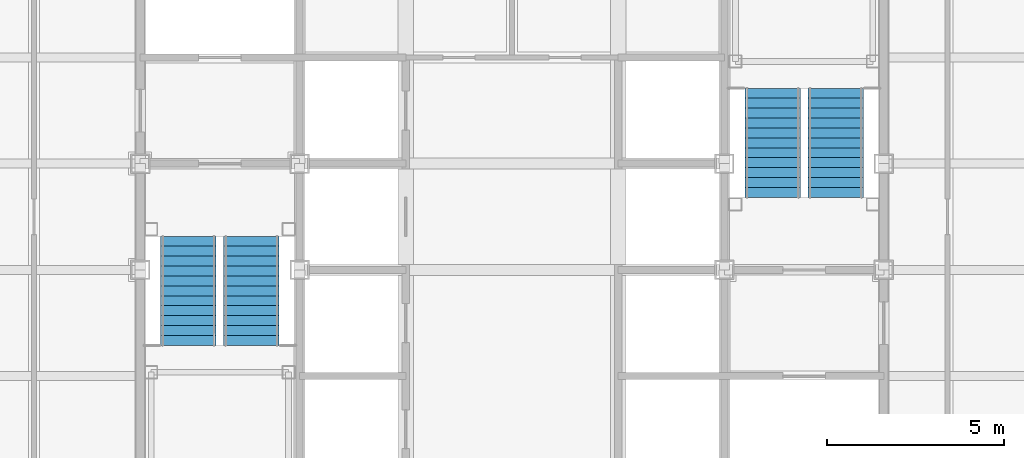
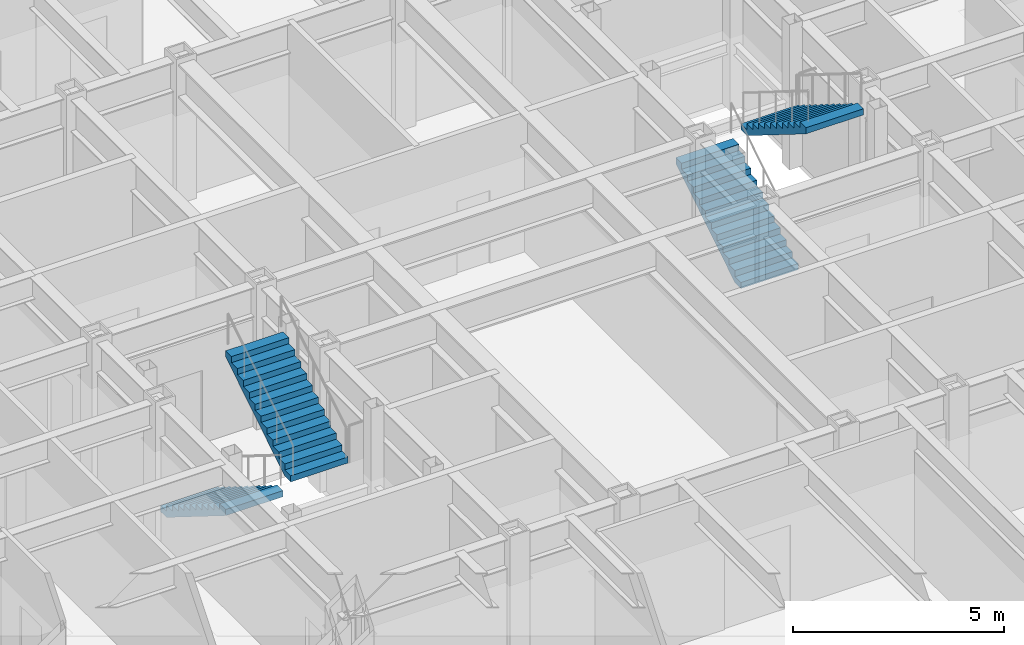
# One storey, part 14 of 16: 4 stair flights, 2 elements without a shape of their own.
"""IFC4 building model written with IfcOpenShell, lengths in metres."""

from ifc_helpers import new_model, si_unit, direction, frame, origin, place, context, subcontext, project, spatial, faceted_brep, material, type_object, element, aggregate, save


model = new_model("IFC4")

# Units and contexts
model_context = context("Model", 3, precision=1e-05, world=origin(), true_north=direction((0.0, 1.0)))
body_context = subcontext(model_context, "Body", "Model", "MODEL_VIEW")
ifc_project = project(units=[si_unit("LENGTHUNIT", "METRE"), si_unit("AREAUNIT", "SQUARE_METRE"), si_unit("VOLUMEUNIT", "CUBIC_METRE"), si_unit("PLANEANGLEUNIT", "RADIAN"), si_unit("MASSUNIT", "GRAM", prefix="KILO")], contexts=[model_context])

# Site, building, storey
site_placement = place(None, origin())
site = spatial("IfcSite", under=ifc_project, at=site_placement, CompositionType="ELEMENT")
building_placement = place(site_placement, origin())
building = spatial("IfcBuilding", under=site, at=building_placement, Name="Chuquiago Exchange Tower", CompositionType="ELEMENT")
storey_placement = place(building_placement, frame((0.0, 0.0, 234.89990234375)))
storey = spatial("IfcBuildingStorey", under=building, at=storey_placement, Name="L52", CompositionType="ELEMENT", Elevation=234.89990234375)

# Stair, stair flights
ifc_material_1 = material(Name="Concrete C30/37, precast", Category="concrete")
stair_type_1 = type_object("IfcStairType", Name="ST1 half-turn stair 4200", PredefinedType="HALF_TURN_STAIR", material=ifc_material_1)
stair_1_placement = place(storey_placement, origin())
stair_1 = element("IfcStair", 1, at=stair_1_placement, inside=storey, type_object=stair_type_1, Name="Stair ST1 L52", PredefinedType="HALF_TURN_STAIR")
ifc_material_2 = material(Name="Concrete C30/37, precast", Category="concrete")
stair_flight_type = type_object("IfcStairFlightType", Name="ST-F flight 1570 for 4200 storey", PredefinedType="STRAIGHT", material=ifc_material_2)
stair_flight_1_placement = place(storey_placement, frame((13.360107421875, 21.949951171875, 0.0), z_axis=(0.0, 0.0, 1.0), x_axis=(0.0, -1.0, 0.0)))
stair_flight_1 = element("IfcStairFlight", 2, at=stair_flight_1_placement, type_object=stair_flight_type, Name="ST1 flight 1", NumberOfRisers=12, NumberOfTreads=11, PredefinedType="STRAIGHT", RiserHeight=0.175, TreadLength=0.28, context=body_context, shape_type="Brep", body=[
    faceted_brep([(0.0, 0.78515625, 0.0), (0.0, 0.78515625, 0.175048828125), (0.280029296875, 0.78515625, 0.175048828125), (0.280029296875, 0.78515625, 0.35009765625), (0.56005859375, 0.78515625, 0.35009765625), (0.56005859375, 0.78515625, 0.52490234375), (0.840087890625, 0.78515625, 0.52490234375), (0.840087890625, 0.78515625, 0.699951171875), (1.1201171875, 0.78515625, 0.699951171875), (1.1201171875, 0.78515625, 0.875), (1.39990234375, 0.78515625, 0.875), (1.39990234375, 0.78515625, 1.050048828125), (1.679931640625, 0.78515625, 1.050048828125), (1.679931640625, 0.78515625, 1.22509765625), (1.9599609375, 0.78515625, 1.22509765625), (1.9599609375, 0.78515625, 1.39990234375), (2.239990234375, 0.78515625, 1.39990234375), (2.239990234375, 0.78515625, 1.574951171875), (2.52001953125, 0.78515625, 1.574951171875), (2.52001953125, 0.78515625, 1.75), (2.800048828125, 0.78515625, 1.75), (2.800048828125, 0.78515625, 1.925048828125), (3.080078125, 0.78515625, 1.925048828125), (3.080078125, 0.78515625, 1.748291015625), (0.28271484375, 0.78515625, 0.0), (0.28271484375, -0.78515625, 0.0), (3.080078125, -0.78515625, 1.748291015625), (3.080078125, -0.78515625, 1.925048828125), (2.800048828125, -0.78515625, 1.925048828125), (2.800048828125, -0.78515625, 1.75), (2.52001953125, -0.78515625, 1.75), (2.52001953125, -0.78515625, 1.574951171875), (2.239990234375, -0.78515625, 1.574951171875), (2.239990234375, -0.78515625, 1.39990234375), (1.9599609375, -0.78515625, 1.39990234375), (1.9599609375, -0.78515625, 1.22509765625), (1.679931640625, -0.78515625, 1.22509765625), (1.679931640625, -0.78515625, 1.050048828125), (1.39990234375, -0.78515625, 1.050048828125), (1.39990234375, -0.78515625, 0.875), (1.1201171875, -0.78515625, 0.875), (1.1201171875, -0.78515625, 0.699951171875), (0.840087890625, -0.78515625, 0.699951171875), (0.840087890625, -0.78515625, 0.52490234375), (0.56005859375, -0.78515625, 0.52490234375), (0.56005859375, -0.78515625, 0.35009765625), (0.280029296875, -0.78515625, 0.35009765625), (0.280029296875, -0.78515625, 0.175048828125), (0.0, -0.78515625, 0.175048828125), (0.0, -0.78515625, 0.0), (0.0, 0.392578125, 0.0), (0.0, 0.392578125, 0.175048828125), (0.0, 0.0, 0.0), (0.0, 0.0, 0.175048828125), (0.0, -0.392578125, 0.0), (0.0, -0.392578125, 0.175048828125), (0.280029296875, 0.392578125, 0.175048828125), (0.280029296875, 0.0, 0.175048828125), (0.280029296875, -0.392578125, 0.175048828125), (0.280029296875, 0.392578125, 0.35009765625), (0.280029296875, 0.0, 0.35009765625), (0.280029296875, -0.392578125, 0.35009765625), (0.56005859375, 0.392578125, 0.35009765625), (0.56005859375, 0.0, 0.35009765625), (0.56005859375, -0.392578125, 0.35009765625), (0.56005859375, 0.392578125, 0.52490234375), (0.56005859375, 0.0, 0.52490234375), (0.56005859375, -0.392578125, 0.52490234375), (0.840087890625, 0.392578125, 0.52490234375), (0.840087890625, 0.0, 0.52490234375), (0.840087890625, -0.392578125, 0.52490234375), (0.840087890625, 0.392578125, 0.699951171875), (0.840087890625, 0.0, 0.699951171875), (0.840087890625, -0.392578125, 0.699951171875), (1.1201171875, 0.392578125, 0.699951171875), (1.1201171875, 0.0, 0.699951171875), (1.1201171875, -0.392578125, 0.699951171875), (1.1201171875, 0.392578125, 0.875), (1.1201171875, 0.0, 0.875), (1.1201171875, -0.392578125, 0.875), (1.39990234375, 0.392578125, 0.875), (1.39990234375, 0.0, 0.875), (1.39990234375, -0.392578125, 0.875), (1.39990234375, 0.392578125, 1.050048828125), (1.39990234375, 0.0, 1.050048828125), (1.39990234375, -0.392578125, 1.050048828125), (1.679931640625, 0.392578125, 1.050048828125), (1.679931640625, 0.0, 1.050048828125), (1.679931640625, -0.392578125, 1.050048828125), (1.679931640625, 0.392578125, 1.22509765625), (1.679931640625, 0.0, 1.22509765625), (1.679931640625, -0.392578125, 1.22509765625), (1.9599609375, 0.392578125, 1.22509765625), (1.9599609375, 0.0, 1.22509765625), (1.9599609375, -0.392578125, 1.22509765625), (1.9599609375, 0.392578125, 1.39990234375), (1.9599609375, 0.0, 1.39990234375), (1.9599609375, -0.392578125, 1.39990234375), (2.239990234375, 0.392578125, 1.39990234375), (2.239990234375, 0.0, 1.39990234375), (2.239990234375, -0.392578125, 1.39990234375), (2.239990234375, 0.392578125, 1.574951171875), (2.239990234375, 0.0, 1.574951171875), (2.239990234375, -0.392578125, 1.574951171875), (2.52001953125, 0.392578125, 1.574951171875), (2.52001953125, 0.0, 1.574951171875), (2.52001953125, -0.392578125, 1.574951171875), (2.52001953125, 0.392578125, 1.75), (2.52001953125, 0.0, 1.75), (2.52001953125, -0.392578125, 1.75), (2.800048828125, 0.392578125, 1.75), (2.800048828125, 0.0, 1.75), (2.800048828125, -0.392578125, 1.75), (2.800048828125, 0.392578125, 1.925048828125), (2.800048828125, 0.0, 1.925048828125), (2.800048828125, -0.392578125, 1.925048828125), (3.080078125, 0.392578125, 1.925048828125), (3.080078125, 0.0, 1.925048828125), (3.080078125, -0.392578125, 1.925048828125), (3.080078125, 0.392578125, 1.748291015625), (3.080078125, 0.0, 1.748291015625), (3.080078125, -0.392578125, 1.748291015625), (0.28271484375, 0.392578125, 0.0), (0.28271484375, 0.0, 0.0), (0.28271484375, -0.392578125, 0.0)], [[[0, 1, 2, 3, 4, 5, 6, 7, 8, 9, 10, 11, 12, 13, 14, 15, 16, 17, 18, 19, 20, 21, 22, 23, 24]], [[25, 26, 27, 28, 29, 30, 31, 32, 33, 34, 35, 36, 37, 38, 39, 40, 41, 42, 43, 44, 45, 46, 47, 48, 49]], [[1, 0, 50, 51]], [[51, 50, 52, 53]], [[53, 52, 54, 55]], [[55, 54, 49, 48]], [[2, 1, 51, 56]], [[56, 51, 53, 57]], [[57, 53, 55, 58]], [[58, 55, 48, 47]], [[3, 2, 56, 59]], [[59, 56, 57, 60]], [[60, 57, 58, 61]], [[61, 58, 47, 46]], [[4, 3, 59, 62]], [[62, 59, 60, 63]], [[63, 60, 61, 64]], [[64, 61, 46, 45]], [[5, 4, 62, 65]], [[65, 62, 63, 66]], [[66, 63, 64, 67]], [[67, 64, 45, 44]], [[6, 5, 65, 68]], [[68, 65, 66, 69]], [[69, 66, 67, 70]], [[70, 67, 44, 43]], [[7, 6, 68, 71]], [[71, 68, 69, 72]], [[72, 69, 70, 73]], [[73, 70, 43, 42]], [[8, 7, 71, 74]], [[74, 71, 72, 75]], [[75, 72, 73, 76]], [[76, 73, 42, 41]], [[9, 8, 74, 77]], [[77, 74, 75, 78]], [[78, 75, 76, 79]], [[79, 76, 41, 40]], [[10, 9, 77, 80]], [[80, 77, 78, 81]], [[81, 78, 79, 82]], [[82, 79, 40, 39]], [[11, 10, 80, 83]], [[83, 80, 81, 84]], [[84, 81, 82, 85]], [[85, 82, 39, 38]], [[12, 11, 83, 86]], [[86, 83, 84, 87]], [[87, 84, 85, 88]], [[88, 85, 38, 37]], [[13, 12, 86, 89]], [[89, 86, 87, 90]], [[90, 87, 88, 91]], [[91, 88, 37, 36]], [[14, 13, 89, 92]], [[92, 89, 90, 93]], [[93, 90, 91, 94]], [[94, 91, 36, 35]], [[15, 14, 92, 95]], [[95, 92, 93, 96]], [[96, 93, 94, 97]], [[97, 94, 35, 34]], [[16, 15, 95, 98]], [[98, 95, 96, 99]], [[99, 96, 97, 100]], [[100, 97, 34, 33]], [[17, 16, 98, 101]], [[101, 98, 99, 102]], [[102, 99, 100, 103]], [[103, 100, 33, 32]], [[18, 17, 101, 104]], [[104, 101, 102, 105]], [[105, 102, 103, 106]], [[106, 103, 32, 31]], [[19, 18, 104, 107]], [[107, 104, 105, 108]], [[108, 105, 106, 109]], [[109, 106, 31, 30]], [[20, 19, 107, 110]], [[110, 107, 108, 111]], [[111, 108, 109, 112]], [[112, 109, 30, 29]], [[21, 20, 110, 113]], [[113, 110, 111, 114]], [[114, 111, 112, 115]], [[115, 112, 29, 28]], [[22, 21, 113, 116]], [[116, 113, 114, 117]], [[117, 114, 115, 118]], [[118, 115, 28, 27]], [[23, 22, 116, 119]], [[119, 116, 117, 120]], [[120, 117, 118, 121]], [[121, 118, 27, 26]], [[24, 23, 119, 122]], [[122, 119, 120, 123]], [[123, 120, 121, 124]], [[124, 121, 26, 25]], [[0, 24, 122, 50]], [[50, 122, 123, 52]], [[52, 123, 124, 54]], [[54, 124, 25, 49]]]),
])
stair_flight_2_placement = place(storey_placement, frame((15.139892578125, 18.8701171875, 2.10009765625), z_axis=(0.0, 0.0, 1.0), x_axis=(0.0, 1.0, 0.0)))
stair_flight_2 = element("IfcStairFlight", 3, at=stair_flight_2_placement, type_object=stair_flight_type, Name="ST1 flight 2", NumberOfRisers=12, NumberOfTreads=11, PredefinedType="STRAIGHT", RiserHeight=0.175, TreadLength=0.28, context=body_context, shape_type="Brep", body=[
    faceted_brep([(0.0, 0.78515625, 0.0), (0.0, 0.78515625, 0.175048828125), (0.280029296875, 0.78515625, 0.175048828125), (0.280029296875, 0.78515625, 0.35009765625), (0.56005859375, 0.78515625, 0.35009765625), (0.56005859375, 0.78515625, 0.52490234375), (0.840087890625, 0.78515625, 0.52490234375), (0.840087890625, 0.78515625, 0.699951171875), (1.1201171875, 0.78515625, 0.699951171875), (1.1201171875, 0.78515625, 0.875), (1.39990234375, 0.78515625, 0.875), (1.39990234375, 0.78515625, 1.050048828125), (1.679931640625, 0.78515625, 1.050048828125), (1.679931640625, 0.78515625, 1.22509765625), (1.9599609375, 0.78515625, 1.22509765625), (1.9599609375, 0.78515625, 1.39990234375), (2.239990234375, 0.78515625, 1.39990234375), (2.239990234375, 0.78515625, 1.574951171875), (2.52001953125, 0.78515625, 1.574951171875), (2.52001953125, 0.78515625, 1.75), (2.800048828125, 0.78515625, 1.75), (2.800048828125, 0.78515625, 1.925048828125), (3.080078125, 0.78515625, 1.925048828125), (3.080078125, 0.78515625, 1.748291015625), (0.28271484375, 0.78515625, 0.0), (0.28271484375, -0.78515625, 0.0), (3.080078125, -0.78515625, 1.748291015625), (3.080078125, -0.78515625, 1.925048828125), (2.800048828125, -0.78515625, 1.925048828125), (2.800048828125, -0.78515625, 1.75), (2.52001953125, -0.78515625, 1.75), (2.52001953125, -0.78515625, 1.574951171875), (2.239990234375, -0.78515625, 1.574951171875), (2.239990234375, -0.78515625, 1.39990234375), (1.9599609375, -0.78515625, 1.39990234375), (1.9599609375, -0.78515625, 1.22509765625), (1.679931640625, -0.78515625, 1.22509765625), (1.679931640625, -0.78515625, 1.050048828125), (1.39990234375, -0.78515625, 1.050048828125), (1.39990234375, -0.78515625, 0.875), (1.1201171875, -0.78515625, 0.875), (1.1201171875, -0.78515625, 0.699951171875), (0.840087890625, -0.78515625, 0.699951171875), (0.840087890625, -0.78515625, 0.52490234375), (0.56005859375, -0.78515625, 0.52490234375), (0.56005859375, -0.78515625, 0.35009765625), (0.280029296875, -0.78515625, 0.35009765625), (0.280029296875, -0.78515625, 0.175048828125), (0.0, -0.78515625, 0.175048828125), (0.0, -0.78515625, 0.0), (0.0, 0.392578125, 0.0), (0.0, 0.392578125, 0.175048828125), (0.0, 0.0, 0.0), (0.0, 0.0, 0.175048828125), (0.0, -0.392578125, 0.0), (0.0, -0.392578125, 0.175048828125), (0.280029296875, 0.392578125, 0.175048828125), (0.280029296875, 0.0, 0.175048828125), (0.280029296875, -0.392578125, 0.175048828125), (0.280029296875, 0.392578125, 0.35009765625), (0.280029296875, 0.0, 0.35009765625), (0.280029296875, -0.392578125, 0.35009765625), (0.56005859375, 0.392578125, 0.35009765625), (0.56005859375, 0.0, 0.35009765625), (0.56005859375, -0.392578125, 0.35009765625), (0.56005859375, 0.392578125, 0.52490234375), (0.56005859375, 0.0, 0.52490234375), (0.56005859375, -0.392578125, 0.52490234375), (0.840087890625, 0.392578125, 0.52490234375), (0.840087890625, 0.0, 0.52490234375), (0.840087890625, -0.392578125, 0.52490234375), (0.840087890625, 0.392578125, 0.699951171875), (0.840087890625, 0.0, 0.699951171875), (0.840087890625, -0.392578125, 0.699951171875), (1.1201171875, 0.392578125, 0.699951171875), (1.1201171875, 0.0, 0.699951171875), (1.1201171875, -0.392578125, 0.699951171875), (1.1201171875, 0.392578125, 0.875), (1.1201171875, 0.0, 0.875), (1.1201171875, -0.392578125, 0.875), (1.39990234375, 0.392578125, 0.875), (1.39990234375, 0.0, 0.875), (1.39990234375, -0.392578125, 0.875), (1.39990234375, 0.392578125, 1.050048828125), (1.39990234375, 0.0, 1.050048828125), (1.39990234375, -0.392578125, 1.050048828125), (1.679931640625, 0.392578125, 1.050048828125), (1.679931640625, 0.0, 1.050048828125), (1.679931640625, -0.392578125, 1.050048828125), (1.679931640625, 0.392578125, 1.22509765625), (1.679931640625, 0.0, 1.22509765625), (1.679931640625, -0.392578125, 1.22509765625), (1.9599609375, 0.392578125, 1.22509765625), (1.9599609375, 0.0, 1.22509765625), (1.9599609375, -0.392578125, 1.22509765625), (1.9599609375, 0.392578125, 1.39990234375), (1.9599609375, 0.0, 1.39990234375), (1.9599609375, -0.392578125, 1.39990234375), (2.239990234375, 0.392578125, 1.39990234375), (2.239990234375, 0.0, 1.39990234375), (2.239990234375, -0.392578125, 1.39990234375), (2.239990234375, 0.392578125, 1.574951171875), (2.239990234375, 0.0, 1.574951171875), (2.239990234375, -0.392578125, 1.574951171875), (2.52001953125, 0.392578125, 1.574951171875), (2.52001953125, 0.0, 1.574951171875), (2.52001953125, -0.392578125, 1.574951171875), (2.52001953125, 0.392578125, 1.75), (2.52001953125, 0.0, 1.75), (2.52001953125, -0.392578125, 1.75), (2.800048828125, 0.392578125, 1.75), (2.800048828125, 0.0, 1.75), (2.800048828125, -0.392578125, 1.75), (2.800048828125, 0.392578125, 1.925048828125), (2.800048828125, 0.0, 1.925048828125), (2.800048828125, -0.392578125, 1.925048828125), (3.080078125, 0.392578125, 1.925048828125), (3.080078125, 0.0, 1.925048828125), (3.080078125, -0.392578125, 1.925048828125), (3.080078125, 0.392578125, 1.748291015625), (3.080078125, 0.0, 1.748291015625), (3.080078125, -0.392578125, 1.748291015625), (0.28271484375, 0.392578125, 0.0), (0.28271484375, 0.0, 0.0), (0.28271484375, -0.392578125, 0.0)], [[[0, 1, 2, 3, 4, 5, 6, 7, 8, 9, 10, 11, 12, 13, 14, 15, 16, 17, 18, 19, 20, 21, 22, 23, 24]], [[25, 26, 27, 28, 29, 30, 31, 32, 33, 34, 35, 36, 37, 38, 39, 40, 41, 42, 43, 44, 45, 46, 47, 48, 49]], [[1, 0, 50, 51]], [[51, 50, 52, 53]], [[53, 52, 54, 55]], [[55, 54, 49, 48]], [[2, 1, 51, 56]], [[56, 51, 53, 57]], [[57, 53, 55, 58]], [[58, 55, 48, 47]], [[3, 2, 56, 59]], [[59, 56, 57, 60]], [[60, 57, 58, 61]], [[61, 58, 47, 46]], [[4, 3, 59, 62]], [[62, 59, 60, 63]], [[63, 60, 61, 64]], [[64, 61, 46, 45]], [[5, 4, 62, 65]], [[65, 62, 63, 66]], [[66, 63, 64, 67]], [[67, 64, 45, 44]], [[6, 5, 65, 68]], [[68, 65, 66, 69]], [[69, 66, 67, 70]], [[70, 67, 44, 43]], [[7, 6, 68, 71]], [[71, 68, 69, 72]], [[72, 69, 70, 73]], [[73, 70, 43, 42]], [[8, 7, 71, 74]], [[74, 71, 72, 75]], [[75, 72, 73, 76]], [[76, 73, 42, 41]], [[9, 8, 74, 77]], [[77, 74, 75, 78]], [[78, 75, 76, 79]], [[79, 76, 41, 40]], [[10, 9, 77, 80]], [[80, 77, 78, 81]], [[81, 78, 79, 82]], [[82, 79, 40, 39]], [[11, 10, 80, 83]], [[83, 80, 81, 84]], [[84, 81, 82, 85]], [[85, 82, 39, 38]], [[12, 11, 83, 86]], [[86, 83, 84, 87]], [[87, 84, 85, 88]], [[88, 85, 38, 37]], [[13, 12, 86, 89]], [[89, 86, 87, 90]], [[90, 87, 88, 91]], [[91, 88, 37, 36]], [[14, 13, 89, 92]], [[92, 89, 90, 93]], [[93, 90, 91, 94]], [[94, 91, 36, 35]], [[15, 14, 92, 95]], [[95, 92, 93, 96]], [[96, 93, 94, 97]], [[97, 94, 35, 34]], [[16, 15, 95, 98]], [[98, 95, 96, 99]], [[99, 96, 97, 100]], [[100, 97, 34, 33]], [[17, 16, 98, 101]], [[101, 98, 99, 102]], [[102, 99, 100, 103]], [[103, 100, 33, 32]], [[18, 17, 101, 104]], [[104, 101, 102, 105]], [[105, 102, 103, 106]], [[106, 103, 32, 31]], [[19, 18, 104, 107]], [[107, 104, 105, 108]], [[108, 105, 106, 109]], [[109, 106, 31, 30]], [[20, 19, 107, 110]], [[110, 107, 108, 111]], [[111, 108, 109, 112]], [[112, 109, 30, 29]], [[21, 20, 110, 113]], [[113, 110, 111, 114]], [[114, 111, 112, 115]], [[115, 112, 29, 28]], [[22, 21, 113, 116]], [[116, 113, 114, 117]], [[117, 114, 115, 118]], [[118, 115, 28, 27]], [[23, 22, 116, 119]], [[119, 116, 117, 120]], [[120, 117, 118, 121]], [[121, 118, 27, 26]], [[24, 23, 119, 122]], [[122, 119, 120, 123]], [[123, 120, 121, 124]], [[124, 121, 26, 25]], [[0, 24, 122, 50]], [[50, 122, 123, 52]], [[52, 123, 124, 54]], [[54, 124, 25, 49]]]),
])
aggregate(stair_1, [stair_flight_1, stair_flight_2])

ifc_material_3 = material(Name="Concrete C30/37, precast", Category="concrete")
stair_type_2 = type_object("IfcStairType", Name="ST2 half-turn stair 4200", PredefinedType="HALF_TURN_STAIR", material=ifc_material_3)
stair_2_placement = place(storey_placement, origin())
stair_2 = element("IfcStair", 4, at=stair_2_placement, inside=storey, type_object=stair_type_2, Name="Stair ST2 L52", PredefinedType="HALF_TURN_STAIR")
stair_flight_3_placement = place(storey_placement, frame((29.860107421875, 23.050048828125, 0.0), z_axis=(0.0, 0.0, 1.0), x_axis=(0.0, 1.0, 0.0)))
stair_flight_3 = element("IfcStairFlight", 5, at=stair_flight_3_placement, type_object=stair_flight_type, Name="ST2 flight 1", NumberOfRisers=12, NumberOfTreads=11, PredefinedType="STRAIGHT", RiserHeight=0.175, TreadLength=0.28, context=body_context, shape_type="Brep", body=[
    faceted_brep([(0.0, 0.78515625, 0.0), (0.0, 0.78515625, 0.175048828125), (0.280029296875, 0.78515625, 0.175048828125), (0.280029296875, 0.78515625, 0.35009765625), (0.56005859375, 0.78515625, 0.35009765625), (0.56005859375, 0.78515625, 0.52490234375), (0.840087890625, 0.78515625, 0.52490234375), (0.840087890625, 0.78515625, 0.699951171875), (1.1201171875, 0.78515625, 0.699951171875), (1.1201171875, 0.78515625, 0.875), (1.39990234375, 0.78515625, 0.875), (1.39990234375, 0.78515625, 1.050048828125), (1.679931640625, 0.78515625, 1.050048828125), (1.679931640625, 0.78515625, 1.22509765625), (1.9599609375, 0.78515625, 1.22509765625), (1.9599609375, 0.78515625, 1.39990234375), (2.239990234375, 0.78515625, 1.39990234375), (2.239990234375, 0.78515625, 1.574951171875), (2.52001953125, 0.78515625, 1.574951171875), (2.52001953125, 0.78515625, 1.75), (2.800048828125, 0.78515625, 1.75), (2.800048828125, 0.78515625, 1.925048828125), (3.080078125, 0.78515625, 1.925048828125), (3.080078125, 0.78515625, 1.748291015625), (0.28271484375, 0.78515625, 0.0), (0.28271484375, -0.78515625, 0.0), (3.080078125, -0.78515625, 1.748291015625), (3.080078125, -0.78515625, 1.925048828125), (2.800048828125, -0.78515625, 1.925048828125), (2.800048828125, -0.78515625, 1.75), (2.52001953125, -0.78515625, 1.75), (2.52001953125, -0.78515625, 1.574951171875), (2.239990234375, -0.78515625, 1.574951171875), (2.239990234375, -0.78515625, 1.39990234375), (1.9599609375, -0.78515625, 1.39990234375), (1.9599609375, -0.78515625, 1.22509765625), (1.679931640625, -0.78515625, 1.22509765625), (1.679931640625, -0.78515625, 1.050048828125), (1.39990234375, -0.78515625, 1.050048828125), (1.39990234375, -0.78515625, 0.875), (1.1201171875, -0.78515625, 0.875), (1.1201171875, -0.78515625, 0.699951171875), (0.840087890625, -0.78515625, 0.699951171875), (0.840087890625, -0.78515625, 0.52490234375), (0.56005859375, -0.78515625, 0.52490234375), (0.56005859375, -0.78515625, 0.35009765625), (0.280029296875, -0.78515625, 0.35009765625), (0.280029296875, -0.78515625, 0.175048828125), (0.0, -0.78515625, 0.175048828125), (0.0, -0.78515625, 0.0), (0.0, 0.392578125, 0.0), (0.0, 0.392578125, 0.175048828125), (0.0, 0.0, 0.0), (0.0, 0.0, 0.175048828125), (0.0, -0.392578125, 0.0), (0.0, -0.392578125, 0.175048828125), (0.280029296875, 0.392578125, 0.175048828125), (0.280029296875, 0.0, 0.175048828125), (0.280029296875, -0.392578125, 0.175048828125), (0.280029296875, 0.392578125, 0.35009765625), (0.280029296875, 0.0, 0.35009765625), (0.280029296875, -0.392578125, 0.35009765625), (0.56005859375, 0.392578125, 0.35009765625), (0.56005859375, 0.0, 0.35009765625), (0.56005859375, -0.392578125, 0.35009765625), (0.56005859375, 0.392578125, 0.52490234375), (0.56005859375, 0.0, 0.52490234375), (0.56005859375, -0.392578125, 0.52490234375), (0.840087890625, 0.392578125, 0.52490234375), (0.840087890625, 0.0, 0.52490234375), (0.840087890625, -0.392578125, 0.52490234375), (0.840087890625, 0.392578125, 0.699951171875), (0.840087890625, 0.0, 0.699951171875), (0.840087890625, -0.392578125, 0.699951171875), (1.1201171875, 0.392578125, 0.699951171875), (1.1201171875, 0.0, 0.699951171875), (1.1201171875, -0.392578125, 0.699951171875), (1.1201171875, 0.392578125, 0.875), (1.1201171875, 0.0, 0.875), (1.1201171875, -0.392578125, 0.875), (1.39990234375, 0.392578125, 0.875), (1.39990234375, 0.0, 0.875), (1.39990234375, -0.392578125, 0.875), (1.39990234375, 0.392578125, 1.050048828125), (1.39990234375, 0.0, 1.050048828125), (1.39990234375, -0.392578125, 1.050048828125), (1.679931640625, 0.392578125, 1.050048828125), (1.679931640625, 0.0, 1.050048828125), (1.679931640625, -0.392578125, 1.050048828125), (1.679931640625, 0.392578125, 1.22509765625), (1.679931640625, 0.0, 1.22509765625), (1.679931640625, -0.392578125, 1.22509765625), (1.9599609375, 0.392578125, 1.22509765625), (1.9599609375, 0.0, 1.22509765625), (1.9599609375, -0.392578125, 1.22509765625), (1.9599609375, 0.392578125, 1.39990234375), (1.9599609375, 0.0, 1.39990234375), (1.9599609375, -0.392578125, 1.39990234375), (2.239990234375, 0.392578125, 1.39990234375), (2.239990234375, 0.0, 1.39990234375), (2.239990234375, -0.392578125, 1.39990234375), (2.239990234375, 0.392578125, 1.574951171875), (2.239990234375, 0.0, 1.574951171875), (2.239990234375, -0.392578125, 1.574951171875), (2.52001953125, 0.392578125, 1.574951171875), (2.52001953125, 0.0, 1.574951171875), (2.52001953125, -0.392578125, 1.574951171875), (2.52001953125, 0.392578125, 1.75), (2.52001953125, 0.0, 1.75), (2.52001953125, -0.392578125, 1.75), (2.800048828125, 0.392578125, 1.75), (2.800048828125, 0.0, 1.75), (2.800048828125, -0.392578125, 1.75), (2.800048828125, 0.392578125, 1.925048828125), (2.800048828125, 0.0, 1.925048828125), (2.800048828125, -0.392578125, 1.925048828125), (3.080078125, 0.392578125, 1.925048828125), (3.080078125, 0.0, 1.925048828125), (3.080078125, -0.392578125, 1.925048828125), (3.080078125, 0.392578125, 1.748291015625), (3.080078125, 0.0, 1.748291015625), (3.080078125, -0.392578125, 1.748291015625), (0.28271484375, 0.392578125, 0.0), (0.28271484375, 0.0, 0.0), (0.28271484375, -0.392578125, 0.0)], [[[0, 1, 2, 3, 4, 5, 6, 7, 8, 9, 10, 11, 12, 13, 14, 15, 16, 17, 18, 19, 20, 21, 22, 23, 24]], [[25, 26, 27, 28, 29, 30, 31, 32, 33, 34, 35, 36, 37, 38, 39, 40, 41, 42, 43, 44, 45, 46, 47, 48, 49]], [[1, 0, 50, 51]], [[51, 50, 52, 53]], [[53, 52, 54, 55]], [[55, 54, 49, 48]], [[2, 1, 51, 56]], [[56, 51, 53, 57]], [[57, 53, 55, 58]], [[58, 55, 48, 47]], [[3, 2, 56, 59]], [[59, 56, 57, 60]], [[60, 57, 58, 61]], [[61, 58, 47, 46]], [[4, 3, 59, 62]], [[62, 59, 60, 63]], [[63, 60, 61, 64]], [[64, 61, 46, 45]], [[5, 4, 62, 65]], [[65, 62, 63, 66]], [[66, 63, 64, 67]], [[67, 64, 45, 44]], [[6, 5, 65, 68]], [[68, 65, 66, 69]], [[69, 66, 67, 70]], [[70, 67, 44, 43]], [[7, 6, 68, 71]], [[71, 68, 69, 72]], [[72, 69, 70, 73]], [[73, 70, 43, 42]], [[8, 7, 71, 74]], [[74, 71, 72, 75]], [[75, 72, 73, 76]], [[76, 73, 42, 41]], [[9, 8, 74, 77]], [[77, 74, 75, 78]], [[78, 75, 76, 79]], [[79, 76, 41, 40]], [[10, 9, 77, 80]], [[80, 77, 78, 81]], [[81, 78, 79, 82]], [[82, 79, 40, 39]], [[11, 10, 80, 83]], [[83, 80, 81, 84]], [[84, 81, 82, 85]], [[85, 82, 39, 38]], [[12, 11, 83, 86]], [[86, 83, 84, 87]], [[87, 84, 85, 88]], [[88, 85, 38, 37]], [[13, 12, 86, 89]], [[89, 86, 87, 90]], [[90, 87, 88, 91]], [[91, 88, 37, 36]], [[14, 13, 89, 92]], [[92, 89, 90, 93]], [[93, 90, 91, 94]], [[94, 91, 36, 35]], [[15, 14, 92, 95]], [[95, 92, 93, 96]], [[96, 93, 94, 97]], [[97, 94, 35, 34]], [[16, 15, 95, 98]], [[98, 95, 96, 99]], [[99, 96, 97, 100]], [[100, 97, 34, 33]], [[17, 16, 98, 101]], [[101, 98, 99, 102]], [[102, 99, 100, 103]], [[103, 100, 33, 32]], [[18, 17, 101, 104]], [[104, 101, 102, 105]], [[105, 102, 103, 106]], [[106, 103, 32, 31]], [[19, 18, 104, 107]], [[107, 104, 105, 108]], [[108, 105, 106, 109]], [[109, 106, 31, 30]], [[20, 19, 107, 110]], [[110, 107, 108, 111]], [[111, 108, 109, 112]], [[112, 109, 30, 29]], [[21, 20, 110, 113]], [[113, 110, 111, 114]], [[114, 111, 112, 115]], [[115, 112, 29, 28]], [[22, 21, 113, 116]], [[116, 113, 114, 117]], [[117, 114, 115, 118]], [[118, 115, 28, 27]], [[23, 22, 116, 119]], [[119, 116, 117, 120]], [[120, 117, 118, 121]], [[121, 118, 27, 26]], [[24, 23, 119, 122]], [[122, 119, 120, 123]], [[123, 120, 121, 124]], [[124, 121, 26, 25]], [[0, 24, 122, 50]], [[50, 122, 123, 52]], [[52, 123, 124, 54]], [[54, 124, 25, 49]]]),
])
stair_flight_4_placement = place(storey_placement, frame((31.639892578125, 26.1298828125, 2.10009765625), z_axis=(0.0, 0.0, 1.0), x_axis=(0.0, -1.0, 0.0)))
stair_flight_4 = element("IfcStairFlight", 6, at=stair_flight_4_placement, type_object=stair_flight_type, Name="ST2 flight 2", NumberOfRisers=12, NumberOfTreads=11, PredefinedType="STRAIGHT", RiserHeight=0.175, TreadLength=0.28, context=body_context, shape_type="Brep", body=[
    faceted_brep([(0.0, 0.78515625, 0.0), (0.0, 0.78515625, 0.175048828125), (0.280029296875, 0.78515625, 0.175048828125), (0.280029296875, 0.78515625, 0.35009765625), (0.56005859375, 0.78515625, 0.35009765625), (0.56005859375, 0.78515625, 0.52490234375), (0.840087890625, 0.78515625, 0.52490234375), (0.840087890625, 0.78515625, 0.699951171875), (1.1201171875, 0.78515625, 0.699951171875), (1.1201171875, 0.78515625, 0.875), (1.39990234375, 0.78515625, 0.875), (1.39990234375, 0.78515625, 1.050048828125), (1.679931640625, 0.78515625, 1.050048828125), (1.679931640625, 0.78515625, 1.22509765625), (1.9599609375, 0.78515625, 1.22509765625), (1.9599609375, 0.78515625, 1.39990234375), (2.239990234375, 0.78515625, 1.39990234375), (2.239990234375, 0.78515625, 1.574951171875), (2.52001953125, 0.78515625, 1.574951171875), (2.52001953125, 0.78515625, 1.75), (2.800048828125, 0.78515625, 1.75), (2.800048828125, 0.78515625, 1.925048828125), (3.080078125, 0.78515625, 1.925048828125), (3.080078125, 0.78515625, 1.748291015625), (0.28271484375, 0.78515625, 0.0), (0.28271484375, -0.78515625, 0.0), (3.080078125, -0.78515625, 1.748291015625), (3.080078125, -0.78515625, 1.925048828125), (2.800048828125, -0.78515625, 1.925048828125), (2.800048828125, -0.78515625, 1.75), (2.52001953125, -0.78515625, 1.75), (2.52001953125, -0.78515625, 1.574951171875), (2.239990234375, -0.78515625, 1.574951171875), (2.239990234375, -0.78515625, 1.39990234375), (1.9599609375, -0.78515625, 1.39990234375), (1.9599609375, -0.78515625, 1.22509765625), (1.679931640625, -0.78515625, 1.22509765625), (1.679931640625, -0.78515625, 1.050048828125), (1.39990234375, -0.78515625, 1.050048828125), (1.39990234375, -0.78515625, 0.875), (1.1201171875, -0.78515625, 0.875), (1.1201171875, -0.78515625, 0.699951171875), (0.840087890625, -0.78515625, 0.699951171875), (0.840087890625, -0.78515625, 0.52490234375), (0.56005859375, -0.78515625, 0.52490234375), (0.56005859375, -0.78515625, 0.35009765625), (0.280029296875, -0.78515625, 0.35009765625), (0.280029296875, -0.78515625, 0.175048828125), (0.0, -0.78515625, 0.175048828125), (0.0, -0.78515625, 0.0), (0.0, 0.392578125, 0.0), (0.0, 0.392578125, 0.175048828125), (0.0, 0.0, 0.0), (0.0, 0.0, 0.175048828125), (0.0, -0.392578125, 0.0), (0.0, -0.392578125, 0.175048828125), (0.280029296875, 0.392578125, 0.175048828125), (0.280029296875, 0.0, 0.175048828125), (0.280029296875, -0.392578125, 0.175048828125), (0.280029296875, 0.392578125, 0.35009765625), (0.280029296875, 0.0, 0.35009765625), (0.280029296875, -0.392578125, 0.35009765625), (0.56005859375, 0.392578125, 0.35009765625), (0.56005859375, 0.0, 0.35009765625), (0.56005859375, -0.392578125, 0.35009765625), (0.56005859375, 0.392578125, 0.52490234375), (0.56005859375, 0.0, 0.52490234375), (0.56005859375, -0.392578125, 0.52490234375), (0.840087890625, 0.392578125, 0.52490234375), (0.840087890625, 0.0, 0.52490234375), (0.840087890625, -0.392578125, 0.52490234375), (0.840087890625, 0.392578125, 0.699951171875), (0.840087890625, 0.0, 0.699951171875), (0.840087890625, -0.392578125, 0.699951171875), (1.1201171875, 0.392578125, 0.699951171875), (1.1201171875, 0.0, 0.699951171875), (1.1201171875, -0.392578125, 0.699951171875), (1.1201171875, 0.392578125, 0.875), (1.1201171875, 0.0, 0.875), (1.1201171875, -0.392578125, 0.875), (1.39990234375, 0.392578125, 0.875), (1.39990234375, 0.0, 0.875), (1.39990234375, -0.392578125, 0.875), (1.39990234375, 0.392578125, 1.050048828125), (1.39990234375, 0.0, 1.050048828125), (1.39990234375, -0.392578125, 1.050048828125), (1.679931640625, 0.392578125, 1.050048828125), (1.679931640625, 0.0, 1.050048828125), (1.679931640625, -0.392578125, 1.050048828125), (1.679931640625, 0.392578125, 1.22509765625), (1.679931640625, 0.0, 1.22509765625), (1.679931640625, -0.392578125, 1.22509765625), (1.9599609375, 0.392578125, 1.22509765625), (1.9599609375, 0.0, 1.22509765625), (1.9599609375, -0.392578125, 1.22509765625), (1.9599609375, 0.392578125, 1.39990234375), (1.9599609375, 0.0, 1.39990234375), (1.9599609375, -0.392578125, 1.39990234375), (2.239990234375, 0.392578125, 1.39990234375), (2.239990234375, 0.0, 1.39990234375), (2.239990234375, -0.392578125, 1.39990234375), (2.239990234375, 0.392578125, 1.574951171875), (2.239990234375, 0.0, 1.574951171875), (2.239990234375, -0.392578125, 1.574951171875), (2.52001953125, 0.392578125, 1.574951171875), (2.52001953125, 0.0, 1.574951171875), (2.52001953125, -0.392578125, 1.574951171875), (2.52001953125, 0.392578125, 1.75), (2.52001953125, 0.0, 1.75), (2.52001953125, -0.392578125, 1.75), (2.800048828125, 0.392578125, 1.75), (2.800048828125, 0.0, 1.75), (2.800048828125, -0.392578125, 1.75), (2.800048828125, 0.392578125, 1.925048828125), (2.800048828125, 0.0, 1.925048828125), (2.800048828125, -0.392578125, 1.925048828125), (3.080078125, 0.392578125, 1.925048828125), (3.080078125, 0.0, 1.925048828125), (3.080078125, -0.392578125, 1.925048828125), (3.080078125, 0.392578125, 1.748291015625), (3.080078125, 0.0, 1.748291015625), (3.080078125, -0.392578125, 1.748291015625), (0.28271484375, 0.392578125, 0.0), (0.28271484375, 0.0, 0.0), (0.28271484375, -0.392578125, 0.0)], [[[0, 1, 2, 3, 4, 5, 6, 7, 8, 9, 10, 11, 12, 13, 14, 15, 16, 17, 18, 19, 20, 21, 22, 23, 24]], [[25, 26, 27, 28, 29, 30, 31, 32, 33, 34, 35, 36, 37, 38, 39, 40, 41, 42, 43, 44, 45, 46, 47, 48, 49]], [[1, 0, 50, 51]], [[51, 50, 52, 53]], [[53, 52, 54, 55]], [[55, 54, 49, 48]], [[2, 1, 51, 56]], [[56, 51, 53, 57]], [[57, 53, 55, 58]], [[58, 55, 48, 47]], [[3, 2, 56, 59]], [[59, 56, 57, 60]], [[60, 57, 58, 61]], [[61, 58, 47, 46]], [[4, 3, 59, 62]], [[62, 59, 60, 63]], [[63, 60, 61, 64]], [[64, 61, 46, 45]], [[5, 4, 62, 65]], [[65, 62, 63, 66]], [[66, 63, 64, 67]], [[67, 64, 45, 44]], [[6, 5, 65, 68]], [[68, 65, 66, 69]], [[69, 66, 67, 70]], [[70, 67, 44, 43]], [[7, 6, 68, 71]], [[71, 68, 69, 72]], [[72, 69, 70, 73]], [[73, 70, 43, 42]], [[8, 7, 71, 74]], [[74, 71, 72, 75]], [[75, 72, 73, 76]], [[76, 73, 42, 41]], [[9, 8, 74, 77]], [[77, 74, 75, 78]], [[78, 75, 76, 79]], [[79, 76, 41, 40]], [[10, 9, 77, 80]], [[80, 77, 78, 81]], [[81, 78, 79, 82]], [[82, 79, 40, 39]], [[11, 10, 80, 83]], [[83, 80, 81, 84]], [[84, 81, 82, 85]], [[85, 82, 39, 38]], [[12, 11, 83, 86]], [[86, 83, 84, 87]], [[87, 84, 85, 88]], [[88, 85, 38, 37]], [[13, 12, 86, 89]], [[89, 86, 87, 90]], [[90, 87, 88, 91]], [[91, 88, 37, 36]], [[14, 13, 89, 92]], [[92, 89, 90, 93]], [[93, 90, 91, 94]], [[94, 91, 36, 35]], [[15, 14, 92, 95]], [[95, 92, 93, 96]], [[96, 93, 94, 97]], [[97, 94, 35, 34]], [[16, 15, 95, 98]], [[98, 95, 96, 99]], [[99, 96, 97, 100]], [[100, 97, 34, 33]], [[17, 16, 98, 101]], [[101, 98, 99, 102]], [[102, 99, 100, 103]], [[103, 100, 33, 32]], [[18, 17, 101, 104]], [[104, 101, 102, 105]], [[105, 102, 103, 106]], [[106, 103, 32, 31]], [[19, 18, 104, 107]], [[107, 104, 105, 108]], [[108, 105, 106, 109]], [[109, 106, 31, 30]], [[20, 19, 107, 110]], [[110, 107, 108, 111]], [[111, 108, 109, 112]], [[112, 109, 30, 29]], [[21, 20, 110, 113]], [[113, 110, 111, 114]], [[114, 111, 112, 115]], [[115, 112, 29, 28]], [[22, 21, 113, 116]], [[116, 113, 114, 117]], [[117, 114, 115, 118]], [[118, 115, 28, 27]], [[23, 22, 116, 119]], [[119, 116, 117, 120]], [[120, 117, 118, 121]], [[121, 118, 27, 26]], [[24, 23, 119, 122]], [[122, 119, 120, 123]], [[123, 120, 121, 124]], [[124, 121, 26, 25]], [[0, 24, 122, 50]], [[50, 122, 123, 52]], [[52, 123, 124, 54]], [[54, 124, 25, 49]]]),
])
aggregate(stair_2, [stair_flight_3, stair_flight_4])

save(model, "model.ifc")
